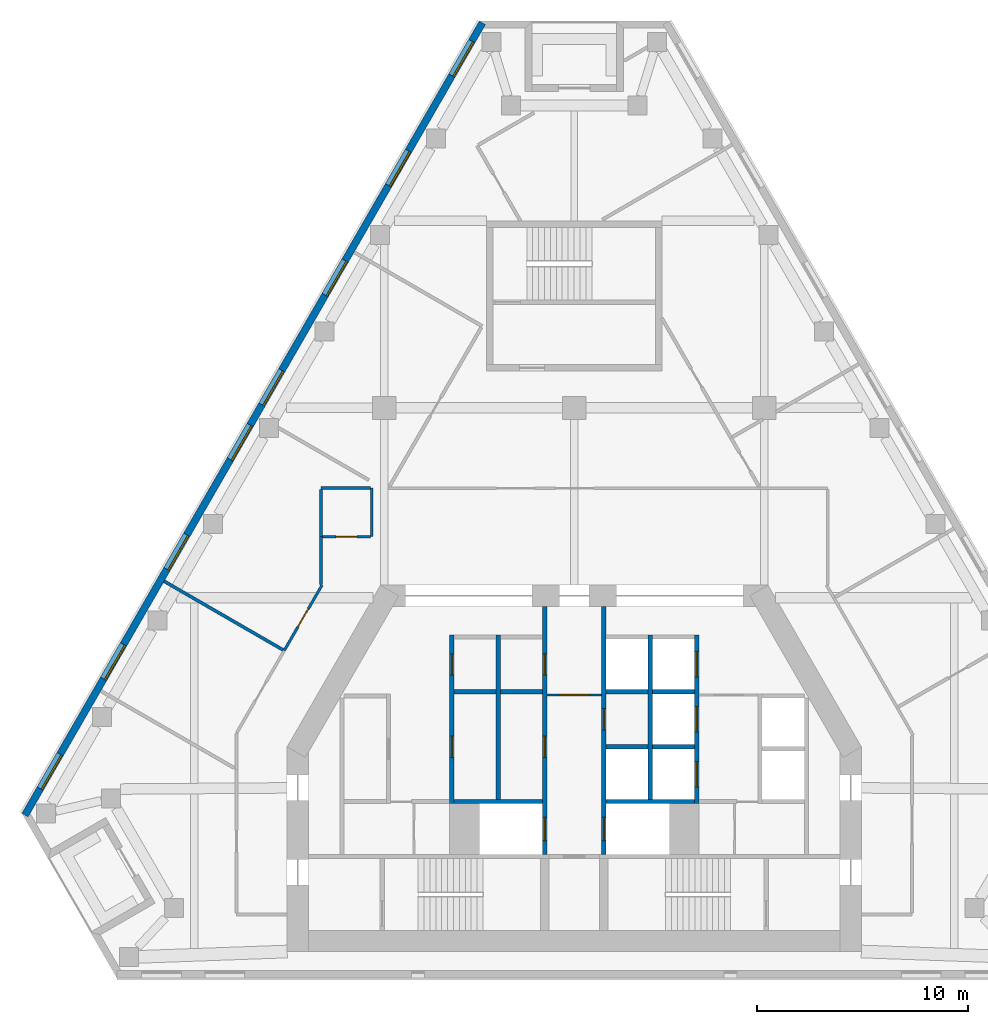
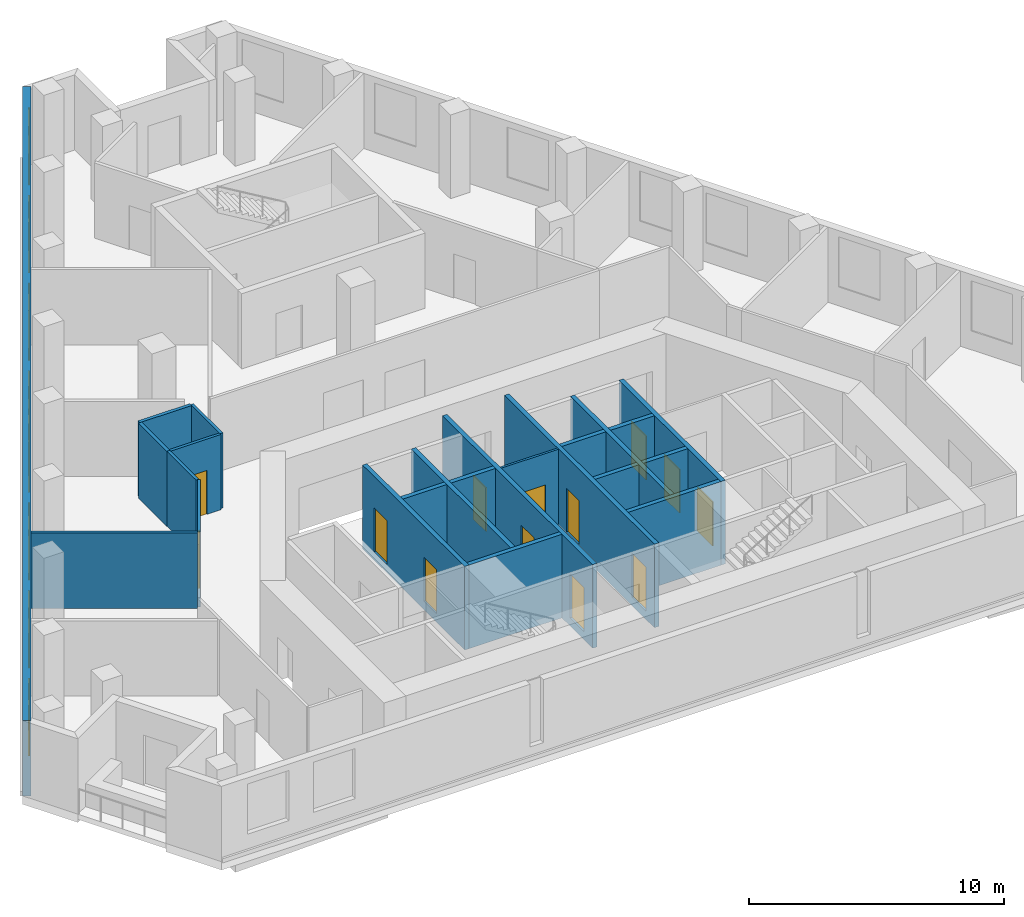
# One storey, part 3 of 7: 23 walls, 13 doors, 8 windows, 21 openings.
"""IFC4 building model written with IfcOpenShell, lengths in metres."""

from ifc_helpers import new_model, si_unit, direction, frame, frame_2d, origin, place, context, subcontext, project, spatial, rectangle, extrude, material, layer, layer_set, type_object, element, fill, save


model = new_model("IFC4")

# Units and contexts
model_context = context("Model", 3, precision=1e-05, world=origin(), true_north=direction((0.0, 1.0)))
body_context = subcontext(model_context, "Body", "Model", "MODEL_VIEW")
ifc_project = project(units=[si_unit("LENGTHUNIT", "METRE"), si_unit("AREAUNIT", "SQUARE_METRE"), si_unit("VOLUMEUNIT", "CUBIC_METRE"), si_unit("PLANEANGLEUNIT", "RADIAN"), si_unit("MASSUNIT", "GRAM", prefix="KILO")], contexts=[model_context])

# Site, building, storey
site_placement = place(None, origin())
site = spatial("IfcSite", under=ifc_project, at=site_placement, CompositionType="ELEMENT")
building_placement = place(site_placement, origin())
building = spatial("IfcBuilding", under=site, at=building_placement, Name="Fogline Exchange Tower", CompositionType="ELEMENT")
storey_placement = place(building_placement, frame((0.0, 0.0, 251.5)))
storey = spatial("IfcBuildingStorey", under=building, at=storey_placement, Name="L57", CompositionType="ELEMENT", Elevation=251.5)

# Wall, opening, door
ifc_material_1 = material(Name="Blockwork partition", Category="masonry")
ifc_layer_1 = layer(ifc_material_1, 0.10009765625)
ifc_layer_set_1 = layer_set([ifc_layer_1], Name="CW10")
wall_type_1 = type_object("IfcWallType", Name="CW10", PredefinedType="PARTITIONING", material=ifc_layer_set_1)
wall_1_placement = place(storey_placement, frame((-1.300048828125, 13.39990234375, 0.0), z_axis=(0.0, 0.0, 1.0), x_axis=(1.0, 0.0, 0.0)))
wall_1 = element("IfcWall", 1, at=wall_1_placement, inside=storey, type_object=wall_type_1, Name="Lift lobby partition", PredefinedType="PARTITIONING", context=body_context, shape_type="SweptSolid", body=[
    extrude(rectangle(XDim=2.60009765625, YDim=0.10009765625, at=frame_2d((1.300048828125, 0.0))), origin(), (0.0, 0.0, 1.0), 3.60009765625),
])
opening_1_placement = place(wall_1_placement, frame((0.60009765625, 0.0, 0.0)))
opening_1 = element("IfcOpeningElement", 2, at=opening_1_placement, cuts=wall_1, Name="Opening T18-C019", PredefinedType="OPENING", context=body_context, shape_type="SweptSolid", body=[
    extrude(rectangle(XDim=1.39990234375, YDim=2.10009765625, at=frame_2d((0.699951171875, 1.050048828125))), frame((0.0, 0.06005859375, 0.0), z_axis=(0.0, -1.0, 0.0), x_axis=(1.0, 0.0, 0.0)), (0.0, 0.0, 1.0), 0.1201171875),
])
ifc_material_2 = material(Name="Steel and timber fire door", Category="steel")
door_type_1 = type_object("IfcDoorType", Name="D-LB1", OperationType="DOUBLE_DOOR_SINGLE_SWING", PredefinedType="DOOR", material=ifc_material_2)
door_1_placement = place(opening_1_placement, origin())
door_1 = element("IfcDoor", 3, at=door_1_placement, inside=storey, type_object=door_type_1, Name="Door to firefighting lift lobby", OperationType="DOUBLE_DOOR_SINGLE_SWING", OverallHeight=2.10009765625, OverallWidth=1.39990234375, PredefinedType="DOOR", context=body_context, shape_type="SweptSolid", body=[
    extrude(rectangle(XDim=1.39990234375, YDim=2.10009765625, at=frame_2d((0.699951171875, 1.050048828125))), frame((0.0, 0.02490234375, 0.0), z_axis=(0.0, -1.0, 0.0), x_axis=(1.0, 0.0, 0.0)), (0.0, 0.0, 1.0), 0.050048828125),
])
fill(opening_1, door_1)

# Walls
ifc_material_3 = material(Name="Concrete C40", Category="concrete")
ifc_layer_2 = layer(ifc_material_3, 0.199951171875)
ifc_layer_set_2 = layer_set([ifc_layer_2], Name="CW20")
wall_type_2 = type_object("IfcWallType", Name="CW20", PredefinedType="SOLIDWALL", material=ifc_layer_set_2)
for number, where, z_axis, x_axis, name in (
    (4, (-5.699951171875, 13.550048828125, 0.0), (0.0, 0.0, 1.0), (1.0, 0.0, 0.0), "Service room wall"),
    (5, (-3.5, 13.550048828125, 0.0), (0.0, 0.0, 1.0), (1.0, 0.0, 0.0), "Service room wall"),
):
    element("IfcWall", number, at=place(storey_placement, frame(where, z_axis=z_axis, x_axis=x_axis)), inside=storey, type_object=wall_type_2, Name=name, PredefinedType="SOLIDWALL", context=body_context, shape_type="SweptSolid", body=[
        extrude(rectangle(XDim=2.0, YDim=0.199951171875, at=frame_2d((1.0, 0.0))), origin(), (0.0, 0.0, 1.0), 3.60009765625),
    ])

# Wall, openings, doors
ifc_layer_3 = layer(ifc_material_3, 0.199951171875)
ifc_layer_set_3 = layer_set([ifc_layer_3], Name="CW20S")
wall_type_3 = type_object("IfcWallType", Name="CW20S", PredefinedType="SOLIDWALL", material=ifc_layer_set_3)
wall_2_placement = place(storey_placement, frame((-5.800048828125, 8.25, -0.39990234375), z_axis=(0.0, 0.0, 1.0), x_axis=(0.0, 1.0, 0.0)))
wall_2 = element("IfcWall", 6, at=wall_2_placement, inside=storey, type_object=wall_type_3, Name="Lift shaft wall", PredefinedType="SOLIDWALL", context=body_context, shape_type="SweptSolid", body=[
    extrude(rectangle(XDim=8.0, YDim=0.199951171875, at=frame_2d((4.0, 0.0))), origin(), (0.0, 0.0, 1.0), 4.0),
])
opening_2_placement = place(wall_2_placement, frame((2.199951171875, 0.0, 0.39990234375)))
opening_2 = element("IfcOpeningElement", 7, at=opening_2_placement, cuts=wall_2, Name="Opening T18-C002", PredefinedType="OPENING", context=body_context, shape_type="SweptSolid", body=[
    extrude(rectangle(XDim=1.0, YDim=2.10009765625, at=frame_2d((0.5, 1.050048828125))), frame((0.0, 0.10986328125, 0.0), z_axis=(0.0, -1.0, 0.0), x_axis=(1.0, 0.0, 0.0)), (0.0, 0.0, 1.0), 0.219970703125),
])
opening_3_placement = place(wall_2_placement, frame((6.10009765625, 0.0, 0.39990234375)))
opening_3 = element("IfcOpeningElement", 8, at=opening_3_placement, cuts=wall_2, Name="Opening T18-C003", PredefinedType="OPENING", context=body_context, shape_type="SweptSolid", body=[
    extrude(rectangle(XDim=1.0, YDim=2.10009765625, at=frame_2d((0.5, 1.050048828125))), frame((0.0, 0.10986328125, 0.0), z_axis=(0.0, -1.0, 0.0), x_axis=(1.0, 0.0, 0.0)), (0.0, 0.0, 1.0), 0.219970703125),
])
door_type_2 = type_object("IfcDoorType", Name="D-RM1", OperationType="SINGLE_SWING_LEFT", PredefinedType="DOOR", material=ifc_material_2)
door_2_placement = place(opening_2_placement, frame((1.0, 0.0, 0.0), z_axis=(0.0, 0.0, 1.0), x_axis=(-1.0, 0.0, 0.0)))
door_2 = element("IfcDoor", 9, at=door_2_placement, inside=storey, type_object=door_type_2, Name="Door to Service Room", OperationType="SINGLE_SWING_LEFT", OverallHeight=2.10009765625, OverallWidth=1.0, PredefinedType="DOOR", context=body_context, shape_type="SweptSolid", body=[
    extrude(rectangle(XDim=1.0, YDim=2.10009765625, at=frame_2d((0.5, 1.050048828125))), frame((0.0, 0.02490234375, 0.0), z_axis=(0.0, -1.0, 0.0), x_axis=(1.0, 0.0, 0.0)), (0.0, 0.0, 1.0), 0.050048828125),
])
fill(opening_2, door_2)
door_3_placement = place(opening_3_placement, frame((1.0, 0.0, 0.0), z_axis=(0.0, 0.0, 1.0), x_axis=(-1.0, 0.0, 0.0)))
door_3 = element("IfcDoor", 10, at=door_3_placement, inside=storey, type_object=door_type_2, Name="Door to Records Store", OperationType="SINGLE_SWING_RIGHT", OverallHeight=2.10009765625, OverallWidth=1.0, PredefinedType="DOOR", context=body_context, shape_type="SweptSolid", body=[
    extrude(rectangle(XDim=1.0, YDim=2.10009765625, at=frame_2d((0.5, 1.050048828125))), frame((0.0, 0.02490234375, 0.0), z_axis=(0.0, -1.0, 0.0), x_axis=(1.0, 0.0, 0.0)), (0.0, 0.0, 1.0), 0.050048828125),
])
fill(opening_3, door_3)

wall_3_placement = place(storey_placement, frame((5.800048828125, 8.25, -0.39990234375), z_axis=(0.0, 0.0, 1.0), x_axis=(0.0, 1.0, 0.0)))
wall_3 = element("IfcWall", 11, at=wall_3_placement, inside=storey, type_object=wall_type_3, Name="Lift shaft wall", PredefinedType="SOLIDWALL", context=body_context, shape_type="SweptSolid", body=[
    extrude(rectangle(XDim=8.0, YDim=0.199951171875, at=frame_2d((4.0, 0.0))), origin(), (0.0, 0.0, 1.0), 4.0),
])
opening_4_placement = place(wall_3_placement, frame((0.800048828125, 0.0, 0.39990234375)))
opening_4 = element("IfcOpeningElement", 12, at=opening_4_placement, cuts=wall_3, Name="Opening T18-LD02", PredefinedType="OPENING", context=body_context, shape_type="SweptSolid", body=[
    extrude(rectangle(XDim=1.199951171875, YDim=2.10009765625, at=frame_2d((0.60009765625, 1.050048828125))), frame((0.0, 0.10986328125, 0.0), z_axis=(0.0, -1.0, 0.0), x_axis=(1.0, 0.0, 0.0)), (0.0, 0.0, 1.0), 0.219970703125),
])
opening_5_placement = place(wall_3_placement, frame((3.39990234375, 0.0, 0.39990234375)))
opening_5 = element("IfcOpeningElement", 13, at=opening_5_placement, cuts=wall_3, Name="Opening T18-LD03", PredefinedType="OPENING", context=body_context, shape_type="SweptSolid", body=[
    extrude(rectangle(XDim=1.199951171875, YDim=2.10009765625, at=frame_2d((0.60009765625, 1.050048828125))), frame((0.0, 0.10986328125, 0.0), z_axis=(0.0, -1.0, 0.0), x_axis=(1.0, 0.0, 0.0)), (0.0, 0.0, 1.0), 0.219970703125),
])
opening_6_placement = place(wall_3_placement, frame((6.0, 0.0, 0.39990234375)))
opening_6 = element("IfcOpeningElement", 14, at=opening_6_placement, cuts=wall_3, Name="Opening T18-LD04", PredefinedType="OPENING", context=body_context, shape_type="SweptSolid", body=[
    extrude(rectangle(XDim=1.199951171875, YDim=2.10009765625, at=frame_2d((0.60009765625, 1.050048828125))), frame((0.0, 0.10986328125, 0.0), z_axis=(0.0, -1.0, 0.0), x_axis=(1.0, 0.0, 0.0)), (0.0, 0.0, 1.0), 0.219970703125),
])
door_type_3 = type_object("IfcDoorType", Name="LD1", OperationType="SLIDING_TO_LEFT", PredefinedType="DOOR", material=ifc_material_2)
door_4_placement = place(opening_4_placement, origin())
door_4 = element("IfcDoor", 15, at=door_4_placement, inside=storey, type_object=door_type_3, Name="Landing door MR1", OperationType="SLIDING_TO_LEFT", OverallHeight=2.10009765625, OverallWidth=1.199951171875, PredefinedType="DOOR", context=body_context, shape_type="SweptSolid", body=[
    extrude(rectangle(XDim=1.199951171875, YDim=2.10009765625, at=frame_2d((0.60009765625, 1.050048828125))), frame((0.0, 0.02490234375, 0.0), z_axis=(0.0, -1.0, 0.0), x_axis=(1.0, 0.0, 0.0)), (0.0, 0.0, 1.0), 0.050048828125),
])
fill(opening_4, door_4)
door_5_placement = place(opening_5_placement, origin())
door_5 = element("IfcDoor", 16, at=door_5_placement, inside=storey, type_object=door_type_3, Name="Landing door MR2", OperationType="SLIDING_TO_LEFT", OverallHeight=2.10009765625, OverallWidth=1.199951171875, PredefinedType="DOOR", context=body_context, shape_type="SweptSolid", body=[
    extrude(rectangle(XDim=1.199951171875, YDim=2.10009765625, at=frame_2d((0.60009765625, 1.050048828125))), frame((0.0, 0.02490234375, 0.0), z_axis=(0.0, -1.0, 0.0), x_axis=(1.0, 0.0, 0.0)), (0.0, 0.0, 1.0), 0.050048828125),
])
fill(opening_5, door_5)
door_6_placement = place(opening_6_placement, origin())
door_6 = element("IfcDoor", 17, at=door_6_placement, inside=storey, type_object=door_type_3, Name="Landing door MR3", OperationType="SLIDING_TO_LEFT", OverallHeight=2.10009765625, OverallWidth=1.199951171875, PredefinedType="DOOR", context=body_context, shape_type="SweptSolid", body=[
    extrude(rectangle(XDim=1.199951171875, YDim=2.10009765625, at=frame_2d((0.60009765625, 1.050048828125))), frame((0.0, 0.02490234375, 0.0), z_axis=(0.0, -1.0, 0.0), x_axis=(1.0, 0.0, 0.0)), (0.0, 0.0, 1.0), 0.050048828125),
])
fill(opening_6, door_6)

# Walls
for number, where, z_axis, x_axis, name in (
    (18, (-3.60009765625, 8.449951171875, -0.39990234375), (0.0, 0.0, 1.0), (0.0, 1.0, 0.0), "Lift shaft wall"),
    (19, (3.60009765625, 8.449951171875, -0.39990234375), (0.0, 0.0, 1.0), (0.0, 1.0, 0.0), "Lift shaft wall"),
):
    element("IfcWall", number, at=place(storey_placement, frame(where, z_axis=z_axis, x_axis=x_axis)), inside=storey, type_object=wall_type_3, Name=name, PredefinedType="SOLIDWALL", context=body_context, shape_type="SweptSolid", body=[
        extrude(rectangle(XDim=7.800048828125, YDim=0.199951171875, at=frame_2d((3.89990234375, 0.0))), origin(), (0.0, 0.0, 1.0), 4.0),
    ])

# Wall, openings, doors
wall_4_placement = place(storey_placement, frame((-1.39990234375, 5.85009765625, -0.39990234375), z_axis=(0.0, 0.0, 1.0), x_axis=(0.0, 1.0, 0.0)))
wall_4 = element("IfcWall", 20, at=wall_4_placement, inside=storey, type_object=wall_type_3, Name="Lift lobby wall", PredefinedType="SOLIDWALL", context=body_context, shape_type="SweptSolid", body=[
    extrude(rectangle(XDim=11.75, YDim=0.199951171875, at=frame_2d((5.875, 0.0))), origin(), (0.0, 0.0, 1.0), 4.0),
])
opening_7_placement = place(wall_4_placement, frame((0.64990234375, 0.0, 0.39990234375)))
opening_7 = element("IfcOpeningElement", 21, at=opening_7_placement, cuts=wall_4, Name="Opening T18-LD01", PredefinedType="OPENING", context=body_context, shape_type="SweptSolid", body=[
    extrude(rectangle(XDim=1.10009765625, YDim=2.10009765625, at=frame_2d((0.550048828125, 1.050048828125))), frame((0.0, 0.10986328125, 0.0), z_axis=(0.0, -1.0, 0.0), x_axis=(1.0, 0.0, 0.0)), (0.0, 0.0, 1.0), 0.219970703125),
])
opening_8_placement = place(wall_4_placement, frame((4.60009765625, 0.0, 0.39990234375)))
opening_8 = element("IfcOpeningElement", 22, at=opening_8_placement, cuts=wall_4, Name="Opening T18-C004", PredefinedType="OPENING", context=body_context, shape_type="SweptSolid", body=[
    extrude(rectangle(XDim=1.0, YDim=2.10009765625, at=frame_2d((0.5, 1.050048828125))), frame((0.0, 0.10986328125, 0.0), z_axis=(0.0, -1.0, 0.0), x_axis=(1.0, 0.0, 0.0)), (0.0, 0.0, 1.0), 0.219970703125),
])
opening_9_placement = place(wall_4_placement, frame((8.5, 0.0, 0.39990234375)))
opening_9 = element("IfcOpeningElement", 23, at=opening_9_placement, cuts=wall_4, Name="Opening T18-C005", PredefinedType="OPENING", context=body_context, shape_type="SweptSolid", body=[
    extrude(rectangle(XDim=1.0, YDim=2.10009765625, at=frame_2d((0.5, 1.050048828125))), frame((0.0, 0.10986328125, 0.0), z_axis=(0.0, -1.0, 0.0), x_axis=(1.0, 0.0, 0.0)), (0.0, 0.0, 1.0), 0.219970703125),
])
door_7_placement = place(opening_8_placement, origin())
door_7 = element("IfcDoor", 24, at=door_7_placement, inside=storey, type_object=door_type_2, Name="Door to Plant Room", OperationType="SINGLE_SWING_LEFT", OverallHeight=2.10009765625, OverallWidth=1.0, PredefinedType="DOOR", context=body_context, shape_type="SweptSolid", body=[
    extrude(rectangle(XDim=1.0, YDim=2.10009765625, at=frame_2d((0.5, 1.050048828125))), frame((0.0, 0.02490234375, 0.0), z_axis=(0.0, -1.0, 0.0), x_axis=(1.0, 0.0, 0.0)), (0.0, 0.0, 1.0), 0.050048828125),
])
fill(opening_8, door_7)
door_8_placement = place(opening_9_placement, origin())
door_8 = element("IfcDoor", 25, at=door_8_placement, inside=storey, type_object=door_type_2, Name="Door to Plant Room", OperationType="SINGLE_SWING_LEFT", OverallHeight=2.10009765625, OverallWidth=1.0, PredefinedType="DOOR", context=body_context, shape_type="SweptSolid", body=[
    extrude(rectangle(XDim=1.0, YDim=2.10009765625, at=frame_2d((0.5, 1.050048828125))), frame((0.0, 0.02490234375, 0.0), z_axis=(0.0, -1.0, 0.0), x_axis=(1.0, 0.0, 0.0)), (0.0, 0.0, 1.0), 0.050048828125),
])
fill(opening_9, door_8)
door_type_4 = type_object("IfcDoorType", Name="LD2", OperationType="SLIDING_TO_RIGHT", PredefinedType="DOOR", material=ifc_material_2)
door_9_placement = place(opening_7_placement, origin())
door_9 = element("IfcDoor", 26, at=door_9_placement, inside=storey, type_object=door_type_4, Name="Landing door FF1", OperationType="SLIDING_TO_RIGHT", OverallHeight=2.10009765625, OverallWidth=1.10009765625, PredefinedType="DOOR", context=body_context, shape_type="SweptSolid", body=[
    extrude(rectangle(XDim=1.10009765625, YDim=2.10009765625, at=frame_2d((0.550048828125, 1.050048828125))), frame((0.0, 0.02490234375, 0.0), z_axis=(0.0, -1.0, 0.0), x_axis=(1.0, 0.0, 0.0)), (0.0, 0.0, 1.0), 0.050048828125),
])
fill(opening_7, door_9)

wall_5_placement = place(storey_placement, frame((1.39990234375, 5.85009765625, -0.39990234375), z_axis=(0.0, 0.0, 1.0), x_axis=(0.0, 1.0, 0.0)))
wall_5 = element("IfcWall", 27, at=wall_5_placement, inside=storey, type_object=wall_type_3, Name="Lift lobby wall", PredefinedType="SOLIDWALL", context=body_context, shape_type="SweptSolid", body=[
    extrude(rectangle(XDim=11.75, YDim=0.199951171875, at=frame_2d((5.875, 0.0))), origin(), (0.0, 0.0, 1.0), 4.0),
])
opening_10_placement = place(wall_5_placement, frame((0.64990234375, 0.0, 0.39990234375)))
opening_10 = element("IfcOpeningElement", 28, at=opening_10_placement, cuts=wall_5, Name="Opening T18-LD05", PredefinedType="OPENING", context=body_context, shape_type="SweptSolid", body=[
    extrude(rectangle(XDim=1.10009765625, YDim=2.10009765625, at=frame_2d((0.550048828125, 1.050048828125))), frame((0.0, 0.10986328125, 0.0), z_axis=(0.0, -1.0, 0.0), x_axis=(1.0, 0.0, 0.0)), (0.0, 0.0, 1.0), 0.219970703125),
])
opening_11_placement = place(wall_5_placement, frame((5.89990234375, 0.0, 0.39990234375)))
opening_11 = element("IfcOpeningElement", 29, at=opening_11_placement, cuts=wall_5, Name="Opening T18-C006", PredefinedType="OPENING", context=body_context, shape_type="SweptSolid", body=[
    extrude(rectangle(XDim=1.0, YDim=2.10009765625, at=frame_2d((0.5, 1.050048828125))), frame((0.0, 0.10986328125, 0.0), z_axis=(0.0, -1.0, 0.0), x_axis=(1.0, 0.0, 0.0)), (0.0, 0.0, 1.0), 0.219970703125),
])
door_10_placement = place(opening_11_placement, frame((1.0, 0.0, 0.0), z_axis=(0.0, 0.0, 1.0), x_axis=(-1.0, 0.0, 0.0)))
door_10 = element("IfcDoor", 30, at=door_10_placement, inside=storey, type_object=door_type_2, Name="Door to Library Store", OperationType="SINGLE_SWING_RIGHT", OverallHeight=2.10009765625, OverallWidth=1.0, PredefinedType="DOOR", context=body_context, shape_type="SweptSolid", body=[
    extrude(rectangle(XDim=1.0, YDim=2.10009765625, at=frame_2d((0.5, 1.050048828125))), frame((0.0, 0.02490234375, 0.0), z_axis=(0.0, -1.0, 0.0), x_axis=(1.0, 0.0, 0.0)), (0.0, 0.0, 1.0), 0.050048828125),
])
fill(opening_11, door_10)
door_11_placement = place(opening_10_placement, origin())
door_11 = element("IfcDoor", 31, at=door_11_placement, inside=storey, type_object=door_type_4, Name="Landing door FF2", OperationType="SLIDING_TO_RIGHT", OverallHeight=2.10009765625, OverallWidth=1.10009765625, PredefinedType="DOOR", context=body_context, shape_type="SweptSolid", body=[
    extrude(rectangle(XDim=1.10009765625, YDim=2.10009765625, at=frame_2d((0.550048828125, 1.050048828125))), frame((0.0, 0.02490234375, 0.0), z_axis=(0.0, -1.0, 0.0), x_axis=(1.0, 0.0, 0.0)), (0.0, 0.0, 1.0), 0.050048828125),
])
fill(opening_10, door_11)

# Walls
for number, where, z_axis, x_axis, name in (
    (32, (-5.699951171875, 8.35009765625, -0.39990234375), (0.0, 0.0, 1.0), (1.0, 0.0, 0.0), "Lift shaft wall"),
    (33, (1.5, 8.35009765625, -0.39990234375), (0.0, 0.0, 1.0), (1.0, 0.0, 0.0), "Lift shaft wall"),
):
    element("IfcWall", number, at=place(storey_placement, frame(where, z_axis=z_axis, x_axis=x_axis)), inside=storey, type_object=wall_type_3, Name=name, PredefinedType="SOLIDWALL", context=body_context, shape_type="SweptSolid", body=[
        extrude(rectangle(XDim=4.199951171875, YDim=0.199951171875, at=frame_2d((2.10009765625, 0.0))), origin(), (0.0, 0.0, 1.0), 4.0),
    ])
for number, where, z_axis, x_axis, name in (
    (34, (3.699951171875, 10.949951171875, -0.39990234375), (0.0, 0.0, 1.0), (1.0, 0.0, 0.0), "Lift shaft wall"),
    (35, (3.699951171875, 13.550048828125, -0.39990234375), (0.0, 0.0, 1.0), (1.0, 0.0, 0.0), "Lift shaft wall"),
    (36, (1.5, 10.949951171875, -0.39990234375), (0.0, 0.0, 1.0), (1.0, 0.0, 0.0), "Lift shaft wall"),
    (37, (1.5, 13.550048828125, -0.39990234375), (0.0, 0.0, 1.0), (1.0, 0.0, 0.0), "Lift shaft wall"),
):
    element("IfcWall", number, at=place(storey_placement, frame(where, z_axis=z_axis, x_axis=x_axis)), inside=storey, type_object=wall_type_3, Name=name, PredefinedType="SOLIDWALL", context=body_context, shape_type="SweptSolid", body=[
        extrude(rectangle(XDim=2.0, YDim=0.199951171875, at=frame_2d((1.0, 0.0))), origin(), (0.0, 0.0, 1.0), 4.0),
    ])

# Wall, openings, windows
ifc_material_4 = material(Name="Brick masonry", Category="masonry")
ifc_layer_4 = layer(ifc_material_4, 0.340087890625)
ifc_layer_set_4 = layer_set([ifc_layer_4], Name="FW1")
wall_type_4 = type_object("IfcWallType", Name="FW1", PredefinedType="SOLIDWALL", material=ifc_layer_set_4)
wall_6_placement = place(storey_placement, frame((-4.352783203125, 45.24169921875, 0.0), z_axis=(0.0, 0.0, 1.0), x_axis=(-0.500000891752, -0.866024888931, 0.0)))
wall_6 = element("IfcWall", 38, at=wall_6_placement, inside=storey, type_object=wall_type_4, Name="Brick wall L57 W", PredefinedType="SOLIDWALL", context=body_context, shape_type="SweptSolid", body=[
    extrude(rectangle(XDim=43.3388671875, YDim=0.340087890625, at=frame_2d((21.66943359375, 0.0))), origin(), (0.0, 0.0, 1.0), 3.60009765625),
])
opening_12_placement = place(wall_6_placement, frame((1.004150390625, 0.0, 0.89990234375)))
opening_12 = element("IfcOpeningElement", 39, at=opening_12_placement, cuts=wall_6, Name="Opening W1", PredefinedType="OPENING", context=body_context, shape_type="SweptSolid", body=[
    extrude(rectangle(XDim=1.885009765625, YDim=2.39990234375, at=frame_2d((0.9423828125, 1.199951171875))), frame((0.0, 0.18017578125, 0.0), z_axis=(0.0, -1.0, 0.0), x_axis=(1.0, 0.0, 0.0)), (0.0, 0.0, 1.0), 0.360107421875),
])
opening_13_placement = place(wall_6_placement, frame((7.004150390625, 0.0, 0.89990234375)))
opening_13 = element("IfcOpeningElement", 40, at=opening_13_placement, cuts=wall_6, Name="Opening W1", PredefinedType="OPENING", context=body_context, shape_type="SweptSolid", body=[
    extrude(rectangle(XDim=1.885009765625, YDim=2.39990234375, at=frame_2d((0.9423828125, 1.199951171875))), frame((0.0, 0.18017578125, 0.0), z_axis=(0.0, -1.0, 0.0), x_axis=(1.0, 0.0, 0.0)), (0.0, 0.0, 1.0), 0.360107421875),
])
opening_14_placement = place(wall_6_placement, frame((13.004150390625, 0.0, 0.89990234375)))
opening_14 = element("IfcOpeningElement", 41, at=opening_14_placement, cuts=wall_6, Name="Opening W1", PredefinedType="OPENING", context=body_context, shape_type="SweptSolid", body=[
    extrude(rectangle(XDim=1.885009765625, YDim=2.39990234375, at=frame_2d((0.9423828125, 1.199951171875))), frame((0.0, 0.18017578125, 0.0), z_axis=(0.0, -1.0, 0.0), x_axis=(1.0, 0.0, 0.0)), (0.0, 0.0, 1.0), 0.360107421875),
])
opening_15_placement = place(wall_6_placement, frame((19.004150390625, 0.0, 0.89990234375)))
opening_15 = element("IfcOpeningElement", 42, at=opening_15_placement, cuts=wall_6, Name="Opening W1", PredefinedType="OPENING", context=body_context, shape_type="SweptSolid", body=[
    extrude(rectangle(XDim=1.885009765625, YDim=2.39990234375, at=frame_2d((0.9423828125, 1.199951171875))), frame((0.0, 0.18017578125, 0.0), z_axis=(0.0, -1.0, 0.0), x_axis=(1.0, 0.0, 0.0)), (0.0, 0.0, 1.0), 0.360107421875),
])
opening_16_placement = place(wall_6_placement, frame((22.004150390625, 0.0, 0.89990234375)))
opening_16 = element("IfcOpeningElement", 43, at=opening_16_placement, cuts=wall_6, Name="Opening W1", PredefinedType="OPENING", context=body_context, shape_type="SweptSolid", body=[
    extrude(rectangle(XDim=1.885009765625, YDim=2.39990234375, at=frame_2d((0.9423828125, 1.199951171875))), frame((0.0, 0.18017578125, 0.0), z_axis=(0.0, -1.0, 0.0), x_axis=(1.0, 0.0, 0.0)), (0.0, 0.0, 1.0), 0.360107421875),
])
opening_17_placement = place(wall_6_placement, frame((28.004150390625, 0.0, 0.89990234375)))
opening_17 = element("IfcOpeningElement", 44, at=opening_17_placement, cuts=wall_6, Name="Opening W1", PredefinedType="OPENING", context=body_context, shape_type="SweptSolid", body=[
    extrude(rectangle(XDim=1.885009765625, YDim=2.39990234375, at=frame_2d((0.9423828125, 1.199951171875))), frame((0.0, 0.18017578125, 0.0), z_axis=(0.0, -1.0, 0.0), x_axis=(1.0, 0.0, 0.0)), (0.0, 0.0, 1.0), 0.360107421875),
])
opening_18_placement = place(wall_6_placement, frame((34.004150390625, 0.0, 0.89990234375)))
opening_18 = element("IfcOpeningElement", 45, at=opening_18_placement, cuts=wall_6, Name="Opening W1", PredefinedType="OPENING", context=body_context, shape_type="SweptSolid", body=[
    extrude(rectangle(XDim=1.885009765625, YDim=2.39990234375, at=frame_2d((0.9423828125, 1.199951171875))), frame((0.0, 0.18017578125, 0.0), z_axis=(0.0, -1.0, 0.0), x_axis=(1.0, 0.0, 0.0)), (0.0, 0.0, 1.0), 0.360107421875),
])
opening_19_placement = place(wall_6_placement, frame((40.004150390625, 0.0, 0.89990234375)))
opening_19 = element("IfcOpeningElement", 46, at=opening_19_placement, cuts=wall_6, Name="Opening W1", PredefinedType="OPENING", context=body_context, shape_type="SweptSolid", body=[
    extrude(rectangle(XDim=1.885009765625, YDim=2.39990234375, at=frame_2d((0.9423828125, 1.199951171875))), frame((0.0, 0.18017578125, 0.0), z_axis=(0.0, -1.0, 0.0), x_axis=(1.0, 0.0, 0.0)), (0.0, 0.0, 1.0), 0.360107421875),
])
ifc_material_5 = material(Name="Aluminium and glass", Category="aluminium")
window_type = type_object("IfcWindowType", Name="W1", PartitioningType="SINGLE_PANEL", PredefinedType="WINDOW", material=ifc_material_5)
window_1_placement = place(opening_12_placement, origin())
window_1 = element("IfcWindow", 47, at=window_1_placement, inside=storey, type_object=window_type, Name="W1 W1", OverallHeight=2.39990234375, OverallWidth=1.885009765625, PartitioningType="SINGLE_PANEL", PredefinedType="WINDOW", context=body_context, shape_type="SweptSolid", body=[
    extrude(rectangle(XDim=1.885009765625, YDim=2.39990234375, at=frame_2d((0.9423828125, 1.199951171875))), frame((0.0, 0.110107421875, 0.0), z_axis=(0.0, -1.0, 0.0), x_axis=(1.0, 0.0, 0.0)), (0.0, 0.0, 1.0), 0.06005859375),
])
fill(opening_12, window_1)
window_2_placement = place(opening_13_placement, origin())
window_2 = element("IfcWindow", 48, at=window_2_placement, inside=storey, type_object=window_type, Name="W1 W1", OverallHeight=2.39990234375, OverallWidth=1.885009765625, PartitioningType="SINGLE_PANEL", PredefinedType="WINDOW", context=body_context, shape_type="SweptSolid", body=[
    extrude(rectangle(XDim=1.885009765625, YDim=2.39990234375, at=frame_2d((0.9423828125, 1.199951171875))), frame((0.0, 0.110107421875, 0.0), z_axis=(0.0, -1.0, 0.0), x_axis=(1.0, 0.0, 0.0)), (0.0, 0.0, 1.0), 0.06005859375),
])
fill(opening_13, window_2)
window_3_placement = place(opening_14_placement, origin())
window_3 = element("IfcWindow", 49, at=window_3_placement, inside=storey, type_object=window_type, Name="W1 W1", OverallHeight=2.39990234375, OverallWidth=1.885009765625, PartitioningType="SINGLE_PANEL", PredefinedType="WINDOW", context=body_context, shape_type="SweptSolid", body=[
    extrude(rectangle(XDim=1.885009765625, YDim=2.39990234375, at=frame_2d((0.9423828125, 1.199951171875))), frame((0.0, 0.110107421875, 0.0), z_axis=(0.0, -1.0, 0.0), x_axis=(1.0, 0.0, 0.0)), (0.0, 0.0, 1.0), 0.06005859375),
])
fill(opening_14, window_3)
window_4_placement = place(opening_15_placement, origin())
window_4 = element("IfcWindow", 50, at=window_4_placement, inside=storey, type_object=window_type, Name="W1 W1", OverallHeight=2.39990234375, OverallWidth=1.885009765625, PartitioningType="SINGLE_PANEL", PredefinedType="WINDOW", context=body_context, shape_type="SweptSolid", body=[
    extrude(rectangle(XDim=1.885009765625, YDim=2.39990234375, at=frame_2d((0.9423828125, 1.199951171875))), frame((0.0, 0.110107421875, 0.0), z_axis=(0.0, -1.0, 0.0), x_axis=(1.0, 0.0, 0.0)), (0.0, 0.0, 1.0), 0.06005859375),
])
fill(opening_15, window_4)
window_5_placement = place(opening_16_placement, origin())
window_5 = element("IfcWindow", 51, at=window_5_placement, inside=storey, type_object=window_type, Name="W1 W1", OverallHeight=2.39990234375, OverallWidth=1.885009765625, PartitioningType="SINGLE_PANEL", PredefinedType="WINDOW", context=body_context, shape_type="SweptSolid", body=[
    extrude(rectangle(XDim=1.885009765625, YDim=2.39990234375, at=frame_2d((0.9423828125, 1.199951171875))), frame((0.0, 0.110107421875, 0.0), z_axis=(0.0, -1.0, 0.0), x_axis=(1.0, 0.0, 0.0)), (0.0, 0.0, 1.0), 0.06005859375),
])
fill(opening_16, window_5)
window_6_placement = place(opening_17_placement, origin())
window_6 = element("IfcWindow", 52, at=window_6_placement, inside=storey, type_object=window_type, Name="W1 W1", OverallHeight=2.39990234375, OverallWidth=1.885009765625, PartitioningType="SINGLE_PANEL", PredefinedType="WINDOW", context=body_context, shape_type="SweptSolid", body=[
    extrude(rectangle(XDim=1.885009765625, YDim=2.39990234375, at=frame_2d((0.9423828125, 1.199951171875))), frame((0.0, 0.110107421875, 0.0), z_axis=(0.0, -1.0, 0.0), x_axis=(1.0, 0.0, 0.0)), (0.0, 0.0, 1.0), 0.06005859375),
])
fill(opening_17, window_6)
window_7_placement = place(opening_18_placement, origin())
window_7 = element("IfcWindow", 53, at=window_7_placement, inside=storey, type_object=window_type, Name="W1 W1", OverallHeight=2.39990234375, OverallWidth=1.885009765625, PartitioningType="SINGLE_PANEL", PredefinedType="WINDOW", context=body_context, shape_type="SweptSolid", body=[
    extrude(rectangle(XDim=1.885009765625, YDim=2.39990234375, at=frame_2d((0.9423828125, 1.199951171875))), frame((0.0, 0.110107421875, 0.0), z_axis=(0.0, -1.0, 0.0), x_axis=(1.0, 0.0, 0.0)), (0.0, 0.0, 1.0), 0.06005859375),
])
fill(opening_18, window_7)
window_8_placement = place(opening_19_placement, origin())
window_8 = element("IfcWindow", 54, at=window_8_placement, inside=storey, type_object=window_type, Name="W1 W1", OverallHeight=2.39990234375, OverallWidth=1.885009765625, PartitioningType="SINGLE_PANEL", PredefinedType="WINDOW", context=body_context, shape_type="SweptSolid", body=[
    extrude(rectangle(XDim=1.885009765625, YDim=2.39990234375, at=frame_2d((0.9423828125, 1.199951171875))), frame((0.0, 0.110107421875, 0.0), z_axis=(0.0, -1.0, 0.0), x_axis=(1.0, 0.0, 0.0)), (0.0, 0.0, 1.0), 0.06005859375),
])
fill(opening_19, window_8)

# Wall, opening, door
ifc_material_6 = material(Name="Plasterboard corridor partition with mineral wool, 2 layers each side")
ifc_layer_5 = layer(ifc_material_6, 0.125)
ifc_layer_set_5 = layer_set([ifc_layer_5], Name="PW2")
wall_type_5 = type_object("IfcWallType", Name="PW2", PredefinedType="PARTITIONING", material=ifc_layer_set_5)
wall_7_placement = place(storey_placement, frame((-11.925048828125, 20.89990234375, 0.0), z_axis=(0.0, 0.0, 1.0), x_axis=(1.0, 0.0, 0.0)))
wall_7 = element("IfcWall", 55, at=wall_7_placement, inside=storey, type_object=wall_type_5, Name="wall-L57-W009", PredefinedType="PARTITIONING", context=body_context, shape_type="SweptSolid", body=[
    extrude(rectangle(XDim=2.262451171875, YDim=0.125, at=frame_2d((1.13134765625, 0.0))), origin(), (0.0, 0.0, 1.0), 3.60009765625),
])
opening_20_placement = place(wall_7_placement, frame((0.63134765625, 0.0, 0.0)))
opening_20 = element("IfcOpeningElement", 56, at=opening_20_placement, cuts=wall_7, Name="Opening T18-D004", PredefinedType="OPENING", context=body_context, shape_type="SweptSolid", body=[
    extrude(rectangle(XDim=1.0, YDim=2.10009765625, at=frame_2d((0.5, 1.050048828125))), frame((0.0, 0.072509765625, 0.0), z_axis=(0.0, -1.0, 0.0), x_axis=(1.0, 0.0, 0.0)), (0.0, 0.0, 1.0), 0.14501953125),
])
ifc_material_7 = material(Name="Fire-rated timber door leaf with steel frame", Category="steel")
door_type_5 = type_object("IfcDoorType", Name="D3", OperationType="SINGLE_SWING_LEFT", PredefinedType="DOOR", material=ifc_material_7)
door_12_placement = place(opening_20_placement, origin())
door_12 = element("IfcDoor", 57, at=door_12_placement, inside=storey, type_object=door_type_5, Name="door-L57-D004", OperationType="SINGLE_SWING_LEFT", OverallHeight=2.10009765625, OverallWidth=1.0, PredefinedType="DOOR", context=body_context, shape_type="SweptSolid", body=[
    extrude(rectangle(XDim=1.0, YDim=2.10009765625, at=frame_2d((0.5, 1.050048828125))), frame((0.0, 0.02490234375, 0.0), z_axis=(0.0, -1.0, 0.0), x_axis=(1.0, 0.0, 0.0)), (0.0, 0.0, 1.0), 0.050048828125),
])
fill(opening_20, door_12)

# Walls
wall_8_placement = place(storey_placement, frame((-9.60009765625, 20.89990234375, 0.0), z_axis=(0.0, 0.0, 1.0), x_axis=(0.0, 1.0, 0.0)))
element("IfcWall", 58, at=wall_8_placement, inside=storey, type_object=wall_type_5, Name="wall-L57-W010", PredefinedType="PARTITIONING", context=body_context, shape_type="SweptSolid", body=[
    extrude(rectangle(XDim=2.300048828125, YDim=0.125, at=frame_2d((1.14990234375, 0.0))), origin(), (0.0, 0.0, 1.0), 3.60009765625),
])
wall_9_placement = place(storey_placement, frame((-12.0, 18.631591796875, 0.0), z_axis=(0.0, 0.0, 1.0), x_axis=(0.0, 1.0, 0.0)))
element("IfcWall", 59, at=wall_9_placement, inside=storey, type_object=wall_type_5, Name="wall-L57-W011", PredefinedType="PARTITIONING", context=body_context, shape_type="SweptSolid", body=[
    extrude(rectangle(XDim=2.268310546875, YDim=0.125, at=frame_2d((1.13427734375, 0.0))), origin(), (0.0, 0.0, 1.0), 3.60009765625),
])

# Wall, opening, door
wall_10_placement = place(storey_placement, frame((-13.7392578125, 15.50439453125, 0.0), z_axis=(0.0, 0.0, 1.0), x_axis=(0.500010172281, 0.866019530736, 0.0)))
wall_10 = element("IfcWall", 60, at=wall_10_placement, inside=storey, type_object=wall_type_5, Name="wall-L57-W012", PredefinedType="PARTITIONING", context=body_context, shape_type="SweptSolid", body=[
    extrude(rectangle(XDim=3.57470703125, YDim=0.125, at=frame_2d((1.787353515625, 0.0))), origin(), (0.0, 0.0, 1.0), 3.60009765625),
])
opening_21_placement = place(wall_10_placement, frame((1.287353515625, 0.0, 0.0)))
opening_21 = element("IfcOpeningElement", 61, at=opening_21_placement, cuts=wall_10, Name="Opening T18-D005", PredefinedType="OPENING", context=body_context, shape_type="SweptSolid", body=[
    extrude(rectangle(XDim=1.0, YDim=2.10009765625, at=frame_2d((0.5, 1.050048828125))), frame((0.0, 0.072509765625, 0.0), z_axis=(0.0, -1.0, 0.0), x_axis=(1.0, 0.0, 0.0)), (0.0, 0.0, 1.0), 0.14501953125),
])
door_13_placement = place(opening_21_placement, origin())
door_13 = element("IfcDoor", 62, at=door_13_placement, inside=storey, type_object=door_type_5, Name="door-L57-D005", OperationType="SINGLE_SWING_LEFT", OverallHeight=2.10009765625, OverallWidth=1.0, PredefinedType="DOOR", context=body_context, shape_type="SweptSolid", body=[
    extrude(rectangle(XDim=1.0, YDim=2.10009765625, at=frame_2d((0.5, 1.050048828125))), frame((0.0, 0.02490234375, 0.0), z_axis=(0.0, -1.0, 0.0), x_axis=(1.0, 0.0, 0.0)), (0.0, 0.0, 1.0), 0.050048828125),
])
fill(opening_21, door_13)

# Walls
ifc_material_8 = material(Name="Plasterboard demising partition with mineral wool and acoustic board")
ifc_layer_6 = layer(ifc_material_8, 0.14990234375)
ifc_layer_set_6 = layer_set([ifc_layer_6], Name="PW3")
wall_type_6 = type_object("IfcWallType", Name="PW3", PredefinedType="PARTITIONING", material=ifc_layer_set_6)
wall_11_placement = place(storey_placement, frame((-12.0, 20.89990234375, 0.0), z_axis=(0.0, 0.0, 1.0), x_axis=(0.0, 1.0, 0.0)))
element("IfcWall", 63, at=wall_11_placement, inside=storey, type_object=wall_type_6, Name="wall-L57-W029", PredefinedType="PARTITIONING", context=body_context, shape_type="SweptSolid", body=[
    extrude(rectangle(XDim=2.22509765625, YDim=0.14990234375, at=frame_2d((1.112548828125, 0.0))), origin(), (0.0, 0.0, 1.0), 3.60009765625),
])
wall_12_placement = place(storey_placement, frame((-12.0, 23.199951171875, 0.0), z_axis=(0.0, 0.0, 1.0), x_axis=(1.0, 0.0, 0.0)))
element("IfcWall", 64, at=wall_12_placement, inside=storey, type_object=wall_type_6, Name="wall-L57-W030", PredefinedType="PARTITIONING", context=body_context, shape_type="SweptSolid", body=[
    extrude(rectangle(XDim=2.33740234375, YDim=0.14990234375, at=frame_2d((1.168701171875, 0.0))), origin(), (0.0, 0.0, 1.0), 3.60009765625),
])
wall_13_placement = place(storey_placement, frame((-13.793212890625, 15.53564453125, 0.0), z_axis=(0.0, 0.0, 1.0), x_axis=(-0.866025018171, 0.500000667901, 0.0)))
element("IfcWall", 65, at=wall_13_placement, inside=storey, type_object=wall_type_6, Name="wall-L57-W031", PredefinedType="PARTITIONING", context=body_context, shape_type="SweptSolid", body=[
    extrude(rectangle(XDim=6.50732421875, YDim=0.14990234375, at=frame_2d((3.253662109375, 0.0))), origin(), (0.0, 0.0, 1.0), 3.60009765625),
])

save(model, "model.ifc")
